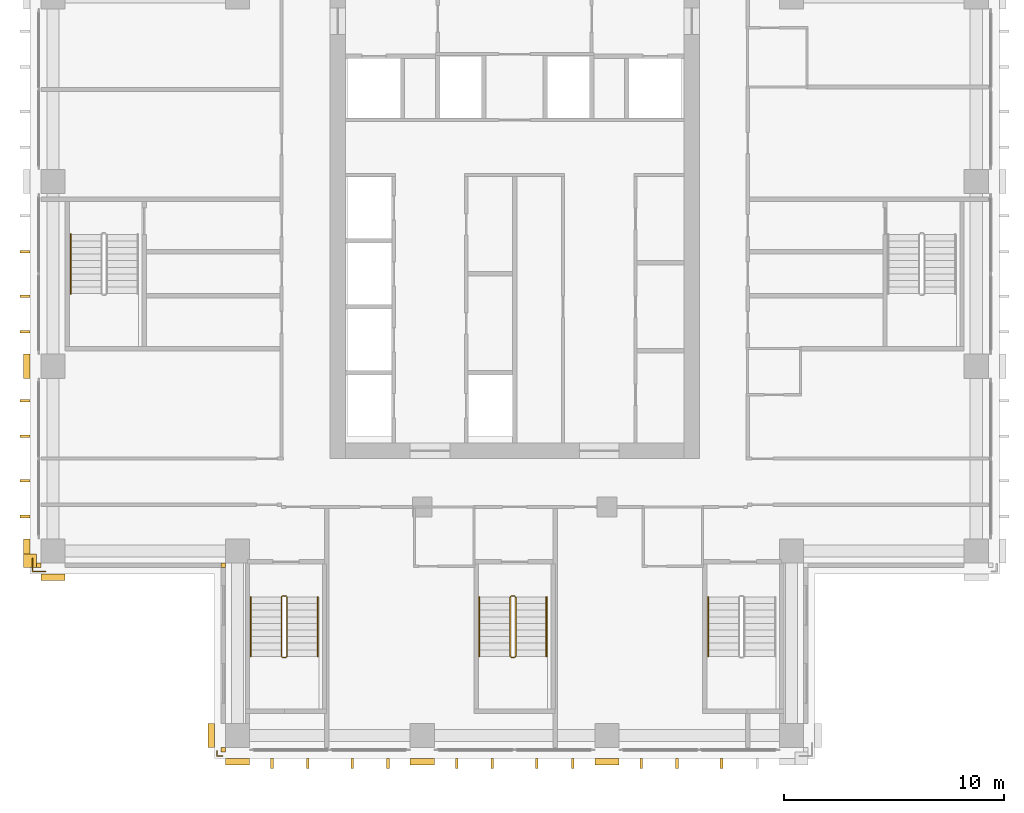
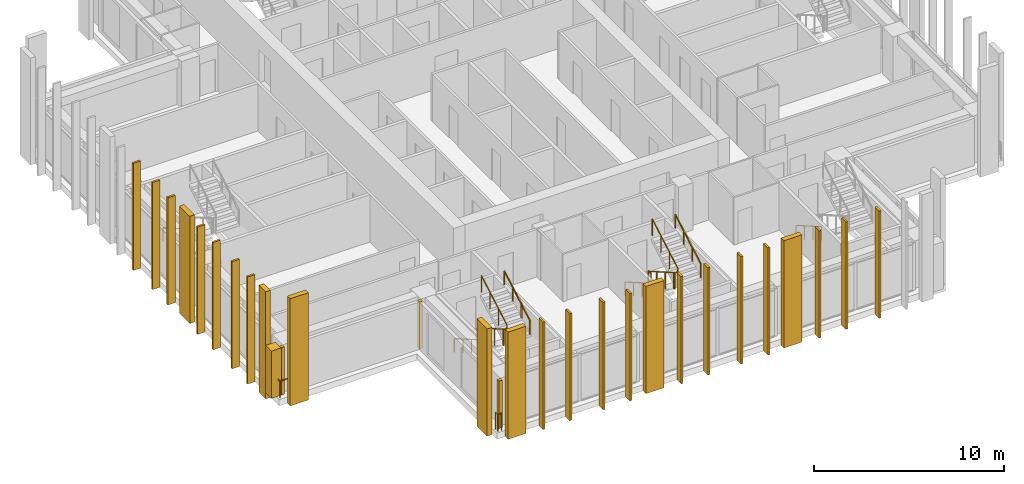
# One storey, part 14 of 16: 29 coverings, 10 railings.
"""IFC4 building model written with IfcOpenShell, lengths in metres."""

from ifc_helpers import new_model, si_unit, direction, frame, origin, origin_2d, place, context, subcontext, project, spatial, polyline, rectangle, outline, extrude, material, layer, layer_set, type_object, element, save


model = new_model("IFC4")

# Units and contexts
model_context = context("Model", 3, precision=1e-05, world=origin(), true_north=direction((0.0, 1.0)))
body_context = subcontext(model_context, "Body", "Model", "MODEL_VIEW")
ifc_project = project(units=[si_unit("LENGTHUNIT", "METRE"), si_unit("AREAUNIT", "SQUARE_METRE"), si_unit("VOLUMEUNIT", "CUBIC_METRE"), si_unit("PLANEANGLEUNIT", "RADIAN"), si_unit("MASSUNIT", "GRAM", prefix="KILO")], contexts=[model_context])

# Site, building, storey
site_placement = place(None, origin())
site = spatial("IfcSite", under=ifc_project, at=site_placement, CompositionType="ELEMENT")
building_placement = place(site_placement, origin())
building = spatial("IfcBuilding", under=site, at=building_placement, Name="Vermilion Ogive Tower", CompositionType="ELEMENT")
storey_placement = place(building_placement, frame((0.0, 0.0, 150.35009765625)))
storey = spatial("IfcBuildingStorey", under=building, at=storey_placement, Name="L38", CompositionType="ELEMENT", Elevation=150.35009765625)

# Coverings
ifc_material_1 = material(Name="Glazed ceramic screen")
ifc_layer = layer(ifc_material_1, 0.14990234375)
ifc_layer_set = layer_set([ifc_layer], Name="Ceramic solar screen fin")
covering_type_1 = type_object("IfcCoveringType", Name="Ceramic solar screen fin", PredefinedType="CLADDING", material=ifc_layer_set)
covering_1_placement = place(storey_placement, frame((0.0, 0.0, -0.400146484375)))
element("IfcCovering", 1, at=covering_1_placement, inside=storey, type_object=covering_type_1, Name="Solar screen blade S971", PredefinedType="CLADDING", context=body_context, shape_type="SweptSolid", body=[
    extrude(outline(polyline([(-11.097412109375, -22.5), (-10.9775390625, -22.5), (-10.9775390625, -22.050048828125), (-11.097412109375, -22.050048828125), (-11.097412109375, -22.5)])), origin(), (0.0, 0.0, 1.0), 6.900146484375),
])
covering_2_placement = place(storey_placement, frame((0.0, 0.0, -0.400146484375)))
element("IfcCovering", 2, at=covering_2_placement, inside=storey, type_object=covering_type_1, Name="Solar screen blade S972", PredefinedType="CLADDING", context=body_context, shape_type="SweptSolid", body=[
    extrude(outline(polyline([(-9.472412109375, -22.5), (-9.3525390625, -22.5), (-9.3525390625, -22.050048828125), (-9.472412109375, -22.050048828125), (-9.472412109375, -22.5)])), origin(), (0.0, 0.0, 1.0), 6.900146484375),
])
covering_3_placement = place(storey_placement, frame((0.0, 0.0, -0.400146484375)))
element("IfcCovering", 3, at=covering_3_placement, inside=storey, type_object=covering_type_1, Name="Solar screen blade S981", PredefinedType="CLADDING", context=body_context, shape_type="SweptSolid", body=[
    extrude(outline(polyline([(-7.447509765625, -22.5), (-7.327392578125, -22.5), (-7.327392578125, -22.050048828125), (-7.447509765625, -22.050048828125), (-7.447509765625, -22.5)])), origin(), (0.0, 0.0, 1.0), 6.900146484375),
])
covering_4_placement = place(storey_placement, frame((0.0, 0.0, -0.400146484375)))
element("IfcCovering", 4, at=covering_4_placement, inside=storey, type_object=covering_type_1, Name="Solar screen blade S982", PredefinedType="CLADDING", context=body_context, shape_type="SweptSolid", body=[
    extrude(outline(polyline([(-5.822509765625, -22.5), (-5.702392578125, -22.5), (-5.702392578125, -22.050048828125), (-5.822509765625, -22.050048828125), (-5.822509765625, -22.5)])), origin(), (0.0, 0.0, 1.0), 6.900146484375),
])
covering_5_placement = place(storey_placement, frame((0.0, 0.0, -0.400146484375)))
element("IfcCovering", 5, at=covering_5_placement, inside=storey, type_object=covering_type_1, Name="Solar screen blade S991", PredefinedType="CLADDING", context=body_context, shape_type="SweptSolid", body=[
    extrude(outline(polyline([(-2.697509765625, -22.5), (-2.577392578125, -22.5), (-2.577392578125, -22.050048828125), (-2.697509765625, -22.050048828125), (-2.697509765625, -22.5)])), origin(), (0.0, 0.0, 1.0), 6.900146484375),
])
covering_6_placement = place(storey_placement, frame((0.0, 0.0, -0.400146484375)))
element("IfcCovering", 6, at=covering_6_placement, inside=storey, type_object=covering_type_1, Name="Solar screen blade S992", PredefinedType="CLADDING", context=body_context, shape_type="SweptSolid", body=[
    extrude(outline(polyline([(-1.072509765625, -22.5), (-0.952392578125, -22.5), (-0.952392578125, -22.050048828125), (-1.072509765625, -22.050048828125), (-1.072509765625, -22.5)])), origin(), (0.0, 0.0, 1.0), 6.900146484375),
])
covering_7_placement = place(storey_placement, frame((0.0, 0.0, -0.400146484375)))
element("IfcCovering", 7, at=covering_7_placement, inside=storey, type_object=covering_type_1, Name="Solar screen blade S001", PredefinedType="CLADDING", context=body_context, shape_type="SweptSolid", body=[
    extrude(outline(polyline([(0.952392578125, -22.5), (1.072509765625, -22.5), (1.072509765625, -22.050048828125), (0.952392578125, -22.050048828125), (0.952392578125, -22.5)])), origin(), (0.0, 0.0, 1.0), 6.900146484375),
])
covering_8_placement = place(storey_placement, frame((0.0, 0.0, -0.400146484375)))
element("IfcCovering", 8, at=covering_8_placement, inside=storey, type_object=covering_type_1, Name="Solar screen blade S002", PredefinedType="CLADDING", context=body_context, shape_type="SweptSolid", body=[
    extrude(outline(polyline([(2.577392578125, -22.5), (2.697509765625, -22.5), (2.697509765625, -22.050048828125), (2.577392578125, -22.050048828125), (2.577392578125, -22.5)])), origin(), (0.0, 0.0, 1.0), 6.900146484375),
])
covering_9_placement = place(storey_placement, frame((0.0, 0.0, -0.400146484375)))
element("IfcCovering", 9, at=covering_9_placement, inside=storey, type_object=covering_type_1, Name="Solar screen blade S011", PredefinedType="CLADDING", context=body_context, shape_type="SweptSolid", body=[
    extrude(outline(polyline([(5.702392578125, -22.5), (5.822509765625, -22.5), (5.822509765625, -22.050048828125), (5.702392578125, -22.050048828125), (5.702392578125, -22.5)])), origin(), (0.0, 0.0, 1.0), 6.900146484375),
])
covering_10_placement = place(storey_placement, frame((0.0, 0.0, -0.400146484375)))
element("IfcCovering", 10, at=covering_10_placement, inside=storey, type_object=covering_type_1, Name="Solar screen blade S012", PredefinedType="CLADDING", context=body_context, shape_type="SweptSolid", body=[
    extrude(outline(polyline([(7.327392578125, -22.5), (7.447509765625, -22.5), (7.447509765625, -22.050048828125), (7.327392578125, -22.050048828125), (7.327392578125, -22.5)])), origin(), (0.0, 0.0, 1.0), 6.900146484375),
])
covering_11_placement = place(storey_placement, frame((0.0, 0.0, -0.400146484375)))
element("IfcCovering", 11, at=covering_11_placement, inside=storey, type_object=covering_type_1, Name="Solar screen blade S021", PredefinedType="CLADDING", context=body_context, shape_type="SweptSolid", body=[
    extrude(outline(polyline([(9.3525390625, -22.5), (9.472412109375, -22.5), (9.472412109375, -22.050048828125), (9.3525390625, -22.050048828125), (9.3525390625, -22.5)])), origin(), (0.0, 0.0, 1.0), 6.900146484375),
])
covering_12_placement = place(storey_placement, frame((0.0, 0.0, -0.400146484375)))
element("IfcCovering", 12, at=covering_12_placement, inside=storey, type_object=covering_type_1, Name="Solar screen blade W991", PredefinedType="CLADDING", context=body_context, shape_type="SweptSolid", body=[
    extrude(outline(polyline([(-22.5, -0.952392578125), (-22.5, -1.072509765625), (-22.050048828125, -1.072509765625), (-22.050048828125, -0.952392578125), (-22.5, -0.952392578125)])), origin(), (0.0, 0.0, 1.0), 6.900146484375),
])
covering_13_placement = place(storey_placement, frame((0.0, 0.0, -0.400146484375)))
element("IfcCovering", 13, at=covering_13_placement, inside=storey, type_object=covering_type_1, Name="Solar screen blade W992", PredefinedType="CLADDING", context=body_context, shape_type="SweptSolid", body=[
    extrude(outline(polyline([(-22.5, -2.577392578125), (-22.5, -2.697509765625), (-22.050048828125, -2.697509765625), (-22.050048828125, -2.577392578125), (-22.5, -2.577392578125)])), origin(), (0.0, 0.0, 1.0), 6.900146484375),
])
covering_14_placement = place(storey_placement, frame((0.0, 0.0, -0.400146484375)))
element("IfcCovering", 14, at=covering_14_placement, inside=storey, type_object=covering_type_1, Name="Solar screen blade W002", PredefinedType="CLADDING", context=body_context, shape_type="SweptSolid", body=[
    extrude(outline(polyline([(-22.5, 1.072509765625), (-22.5, 0.952392578125), (-22.050048828125, 0.952392578125), (-22.050048828125, 1.072509765625), (-22.5, 1.072509765625)])), origin(), (0.0, 0.0, 1.0), 6.900146484375),
])
covering_15_placement = place(storey_placement, frame((0.0, 0.0, -0.400146484375)))
element("IfcCovering", 15, at=covering_15_placement, inside=storey, type_object=covering_type_1, Name="Solar screen blade W971", PredefinedType="CLADDING", context=body_context, shape_type="SweptSolid", body=[
    extrude(outline(polyline([(-22.5, -9.3525390625), (-22.5, -9.472412109375), (-22.050048828125, -9.472412109375), (-22.050048828125, -9.3525390625), (-22.5, -9.3525390625)])), origin(), (0.0, 0.0, 1.0), 6.900146484375),
])
covering_16_placement = place(storey_placement, frame((0.0, 0.0, -0.400146484375)))
element("IfcCovering", 16, at=covering_16_placement, inside=storey, type_object=covering_type_1, Name="Solar screen blade W972", PredefinedType="CLADDING", context=body_context, shape_type="SweptSolid", body=[
    extrude(outline(polyline([(-22.5, -10.9775390625), (-22.5, -11.097412109375), (-22.050048828125, -11.097412109375), (-22.050048828125, -10.9775390625), (-22.5, -10.9775390625)])), origin(), (0.0, 0.0, 1.0), 6.900146484375),
])
covering_17_placement = place(storey_placement, frame((0.0, 0.0, -0.400146484375)))
element("IfcCovering", 17, at=covering_17_placement, inside=storey, type_object=covering_type_1, Name="Solar screen blade W981", PredefinedType="CLADDING", context=body_context, shape_type="SweptSolid", body=[
    extrude(outline(polyline([(-22.5, -5.702392578125), (-22.5, -5.822509765625), (-22.050048828125, -5.822509765625), (-22.050048828125, -5.702392578125), (-22.5, -5.702392578125)])), origin(), (0.0, 0.0, 1.0), 6.900146484375),
])
covering_18_placement = place(storey_placement, frame((0.0, 0.0, -0.400146484375)))
element("IfcCovering", 18, at=covering_18_placement, inside=storey, type_object=covering_type_1, Name="Solar screen blade W982", PredefinedType="CLADDING", context=body_context, shape_type="SweptSolid", body=[
    extrude(outline(polyline([(-22.5, -7.327392578125), (-22.5, -7.447509765625), (-22.050048828125, -7.447509765625), (-22.050048828125, -7.327392578125), (-22.5, -7.327392578125)])), origin(), (0.0, 0.0, 1.0), 6.900146484375),
])

# Railings
ifc_material_2 = material(Name="Stainless steel", Category="steel")
railing_type_1 = type_object("IfcRailingType", Name="Slab edge guard SG1", PredefinedType="GUARDRAIL", material=ifc_material_2)
railing_1_placement = place(storey_placement, frame((-13.300048828125, -21.929931640625, 0.0)))
element("IfcRailing", 19, at=railing_1_placement, inside=storey, type_object=railing_type_1, Name="L38 slab corner guard", PredefinedType="GUARDRAIL", context=body_context, shape_type="SweptSolid", body=[
    extrude(rectangle(XDim=0.050048828125, YDim=0.050048828125, at=origin_2d()), frame((0.0, 0.0, 1.0751953125), z_axis=(-1.0, 0.0, 0.0), x_axis=(0.0, -1.0, 0.0)), (0.0, 0.0, 1.0), 0.22998046875),
    extrude(rectangle(XDim=0.050048828125, YDim=0.050048828125, at=origin_2d()), frame((-0.22998046875, 0.0, 1.0751953125), z_axis=(0.0, 1.0, 0.0), x_axis=(-1.0, 0.0, 0.0)), (0.0, 0.0, 1.0), 0.22998046875),
    extrude(rectangle(XDim=0.050048828125, YDim=0.050048828125, at=origin_2d()), origin(), (0.0, 0.0, 1.0), 1.050048828125),
    extrude(rectangle(XDim=0.050048828125, YDim=0.050048828125, at=origin_2d()), frame((-0.22998046875, 0.0, 0.0)), (0.0, 0.0, 1.0), 1.050048828125),
    extrude(rectangle(XDim=0.050048828125, YDim=0.050048828125, at=origin_2d()), frame((-0.22998046875, 0.22998046875, 0.0)), (0.0, 0.0, 1.0), 1.050048828125),
])
railing_2_placement = place(storey_placement, frame((-21.929931640625, -12.949951171875, 0.0)))
element("IfcRailing", 20, at=railing_2_placement, inside=storey, type_object=railing_type_1, Name="L38 slab corner guard", PredefinedType="GUARDRAIL", context=body_context, shape_type="SweptSolid", body=[
    extrude(rectangle(XDim=0.050048828125, YDim=0.050048828125, at=origin_2d()), frame((0.0, 0.0, 1.0751953125), z_axis=(0.0, -1.0, 0.0), x_axis=(1.0, 0.0, 0.0)), (0.0, 0.0, 1.0), 0.580078125),
    extrude(rectangle(XDim=0.050048828125, YDim=0.050048828125, at=origin_2d()), frame((0.0, -0.580078125, 1.0751953125), z_axis=(1.0, 0.0, 0.0), x_axis=(0.0, 1.0, 0.0)), (0.0, 0.0, 1.0), 0.579833984375),
    extrude(rectangle(XDim=0.050048828125, YDim=0.050048828125, at=origin_2d()), origin(), (0.0, 0.0, 1.0), 1.050048828125),
    extrude(rectangle(XDim=0.050048828125, YDim=0.050048828125, at=origin_2d()), frame((0.0, -0.580078125, 0.0)), (0.0, 0.0, 1.0), 1.050048828125),
    extrude(rectangle(XDim=0.050048828125, YDim=0.050048828125, at=origin_2d()), frame((0.579833984375, -0.580078125, 0.0)), (0.0, 0.0, 1.0), 1.050048828125),
])
ifc_material_3 = material(Name="Steel S355 painted", Category="steel")
railing_type_2 = type_object("IfcRailingType", Name="Stair guard 1100", PredefinedType="GUARDRAIL", material=ifc_material_3)
railing_3_placement = place(storey_placement, frame((-10.39990234375, -14.64990234375, 0.0)))
element("IfcRailing", 21, at=railing_3_placement, inside=storey, type_object=railing_type_2, Name="L38 ST3 stair guard 4", PredefinedType="GUARDRAIL", context=body_context, shape_type="SweptSolid", body=[
    extrude(rectangle(XDim=0.048095703125, YDim=0.048095703125, at=origin_2d()), frame((0.0, 0.0, 1.076171875), z_axis=(-1.0, 0.0, 0.0), x_axis=(0.0, -1.0, 0.0)), (0.0, 0.0, 1.0), 0.150146484375),
    extrude(rectangle(XDim=0.048095703125, YDim=0.048095703125, at=origin_2d()), frame((-0.150146484375, 0.0, 1.076171875), z_axis=(-0.268603158521, -0.268603158521, 0.925043072762), x_axis=(0.707106781187, -0.707106781187, 0.0)), (0.0, 0.0, 1.0), 0.186279296875),
    extrude(rectangle(XDim=0.048095703125, YDim=0.048095703125, at=origin_2d()), frame((-0.2001953125, -0.050048828125, 1.24853515625), z_axis=(0.0, -0.866903762492, 0.498475542607), x_axis=(1.0, 0.0, 0.0)), (0.0, 0.0, 1.0), 3.114501953125),
    extrude(rectangle(XDim=0.048095703125, YDim=0.048095703125, at=origin_2d()), frame((-0.2001953125, -2.75, 2.80078125), z_axis=(0.707106781187, -0.707106781187, 0.0), x_axis=(0.707106781187, 0.707106781187, 0.0)), (0.0, 0.0, 1.0), 0.07080078125),
    extrude(rectangle(XDim=0.048095703125, YDim=0.048095703125, at=origin_2d()), frame((-0.150146484375, -2.800048828125, 2.80078125), z_axis=(1.0, 0.0, 0.0), x_axis=(0.0, 1.0, 0.0)), (0.0, 0.0, 1.0), 0.150146484375),
    extrude(rectangle(XDim=0.048095703125, YDim=0.048095703125, at=origin_2d()), frame((0.0, -2.800048828125, 2.80078125), z_axis=(0.267062837333, 0.268371968888, 0.925556009775), x_axis=(-0.708833529934, 0.705375805398, 0.0)), (0.0, 0.0, 1.0), 0.1865234375),
    extrude(rectangle(XDim=0.048095703125, YDim=0.048095703125, at=origin_2d()), frame((0.0498046875, -2.75, 2.9736328125), z_axis=(0.0, 0.866903762492, 0.498475542607), x_axis=(-1.0, 0.0, 0.0)), (0.0, 0.0, 1.0), 3.114501953125),
    extrude(rectangle(XDim=0.0419921875, YDim=0.0419921875, at=origin_2d()), origin(), (0.0, 0.0, 1.0), 1.052001953125),
    extrude(rectangle(XDim=0.0419921875, YDim=0.0419921875, at=origin_2d()), frame((-0.150146484375, 0.0, 0.0)), (0.0, 0.0, 1.0), 1.052001953125),
    extrude(rectangle(XDim=0.0419921875, YDim=0.0419921875, at=origin_2d()), frame((-0.2001953125, -0.050048828125, 0.17236328125)), (0.0, 0.0, 1.0), 1.052001953125),
    extrude(rectangle(XDim=0.0419921875, YDim=0.0419921875, at=origin_2d()), frame((-0.2001953125, -0.949951171875, 0.68994140625)), (0.0, 0.0, 1.0), 1.052001953125),
    extrude(rectangle(XDim=0.0419921875, YDim=0.0419921875, at=origin_2d()), frame((-0.2001953125, -1.85009765625, 1.207275390625)), (0.0, 0.0, 1.0), 1.052001953125),
    extrude(rectangle(XDim=0.0419921875, YDim=0.0419921875, at=origin_2d()), frame((-0.2001953125, -2.75, 1.724853515625)), (0.0, 0.0, 1.0), 1.052001953125),
    extrude(rectangle(XDim=0.0419921875, YDim=0.0419921875, at=origin_2d()), frame((-0.150146484375, -2.800048828125, 1.724853515625)), (0.0, 0.0, 1.0), 1.052001953125),
    extrude(rectangle(XDim=0.0419921875, YDim=0.0419921875, at=origin_2d()), frame((0.0, -2.800048828125, 1.724853515625)), (0.0, 0.0, 1.0), 1.052001953125),
    extrude(rectangle(XDim=0.0419921875, YDim=0.0419921875, at=origin_2d()), frame((0.0498046875, -2.75, 1.8974609375)), (0.0, 0.0, 1.0), 1.052001953125),
    extrude(rectangle(XDim=0.0419921875, YDim=0.0419921875, at=origin_2d()), frame((0.0498046875, -1.85009765625, 2.4150390625)), (0.0, 0.0, 1.0), 1.052001953125),
    extrude(rectangle(XDim=0.0419921875, YDim=0.0419921875, at=origin_2d()), frame((0.0498046875, -0.949951171875, 2.932373046875)), (0.0, 0.0, 1.0), 1.052001953125),
    extrude(rectangle(XDim=0.0419921875, YDim=0.0419921875, at=origin_2d()), frame((0.0498046875, -0.050048828125, 3.449951171875)), (0.0, 0.0, 1.0), 1.052001953125),
])
railing_4_placement = place(storey_placement, frame((0.0, -14.64990234375, 0.0)))
element("IfcRailing", 22, at=railing_4_placement, inside=storey, type_object=railing_type_2, Name="L38 ST4 stair guard 4", PredefinedType="GUARDRAIL", context=body_context, shape_type="SweptSolid", body=[
    extrude(rectangle(XDim=0.048095703125, YDim=0.048095703125, at=origin_2d()), frame((0.0, 0.0, 1.076171875), z_axis=(-1.0, 0.0, 0.0), x_axis=(0.0, -1.0, 0.0)), (0.0, 0.0, 1.0), 0.14990234375),
    extrude(rectangle(XDim=0.048095703125, YDim=0.048095703125, at=origin_2d()), frame((-0.14990234375, 0.0, 1.076171875), z_axis=(-0.268603158521, -0.268603158521, 0.925043072762), x_axis=(0.707106781187, -0.707106781187, 0.0)), (0.0, 0.0, 1.0), 0.186279296875),
    extrude(rectangle(XDim=0.048095703125, YDim=0.048095703125, at=origin_2d()), frame((-0.199951171875, -0.050048828125, 1.24853515625), z_axis=(0.0, -0.866903762492, 0.498475542607), x_axis=(1.0, 0.0, 0.0)), (0.0, 0.0, 1.0), 3.114501953125),
    extrude(rectangle(XDim=0.048095703125, YDim=0.048095703125, at=origin_2d()), frame((-0.199951171875, -2.75, 2.80078125), z_axis=(0.707106781187, -0.707106781187, 0.0), x_axis=(0.707106781187, 0.707106781187, 0.0)), (0.0, 0.0, 1.0), 0.07080078125),
    extrude(rectangle(XDim=0.048095703125, YDim=0.048095703125, at=origin_2d()), frame((-0.14990234375, -2.800048828125, 2.80078125), z_axis=(1.0, 0.0, 0.0), x_axis=(0.0, 1.0, 0.0)), (0.0, 0.0, 1.0), 0.14990234375),
    extrude(rectangle(XDim=0.048095703125, YDim=0.048095703125, at=origin_2d()), frame((0.0, -2.800048828125, 2.80078125), z_axis=(0.268277960024, 0.268277960024, 0.925231793839), x_axis=(-0.707106781187, 0.707106781187, 0.0)), (0.0, 0.0, 1.0), 0.1865234375),
    extrude(rectangle(XDim=0.048095703125, YDim=0.048095703125, at=origin_2d()), frame((0.050048828125, -2.75, 2.9736328125), z_axis=(0.0, 0.866903762492, 0.498475542607), x_axis=(-1.0, 0.0, 0.0)), (0.0, 0.0, 1.0), 3.114501953125),
    extrude(rectangle(XDim=0.0419921875, YDim=0.0419921875, at=origin_2d()), origin(), (0.0, 0.0, 1.0), 1.052001953125),
    extrude(rectangle(XDim=0.0419921875, YDim=0.0419921875, at=origin_2d()), frame((-0.14990234375, 0.0, 0.0)), (0.0, 0.0, 1.0), 1.052001953125),
    extrude(rectangle(XDim=0.0419921875, YDim=0.0419921875, at=origin_2d()), frame((-0.199951171875, -0.050048828125, 0.17236328125)), (0.0, 0.0, 1.0), 1.052001953125),
    extrude(rectangle(XDim=0.0419921875, YDim=0.0419921875, at=origin_2d()), frame((-0.199951171875, -0.949951171875, 0.68994140625)), (0.0, 0.0, 1.0), 1.052001953125),
    extrude(rectangle(XDim=0.0419921875, YDim=0.0419921875, at=origin_2d()), frame((-0.199951171875, -1.85009765625, 1.207275390625)), (0.0, 0.0, 1.0), 1.052001953125),
    extrude(rectangle(XDim=0.0419921875, YDim=0.0419921875, at=origin_2d()), frame((-0.199951171875, -2.75, 1.724853515625)), (0.0, 0.0, 1.0), 1.052001953125),
    extrude(rectangle(XDim=0.0419921875, YDim=0.0419921875, at=origin_2d()), frame((-0.14990234375, -2.800048828125, 1.724853515625)), (0.0, 0.0, 1.0), 1.052001953125),
    extrude(rectangle(XDim=0.0419921875, YDim=0.0419921875, at=origin_2d()), frame((0.0, -2.800048828125, 1.724853515625)), (0.0, 0.0, 1.0), 1.052001953125),
    extrude(rectangle(XDim=0.0419921875, YDim=0.0419921875, at=origin_2d()), frame((0.050048828125, -2.75, 1.8974609375)), (0.0, 0.0, 1.0), 1.052001953125),
    extrude(rectangle(XDim=0.0419921875, YDim=0.0419921875, at=origin_2d()), frame((0.050048828125, -1.85009765625, 2.4150390625)), (0.0, 0.0, 1.0), 1.052001953125),
    extrude(rectangle(XDim=0.0419921875, YDim=0.0419921875, at=origin_2d()), frame((0.050048828125, -0.949951171875, 2.932373046875)), (0.0, 0.0, 1.0), 1.052001953125),
    extrude(rectangle(XDim=0.0419921875, YDim=0.0419921875, at=origin_2d()), frame((0.050048828125, -0.050048828125, 3.449951171875)), (0.0, 0.0, 1.0), 1.052001953125),
])
ifc_material_4 = material(Name="Stainless steel", Category="steel")
railing_type_3 = type_object("IfcRailingType", Name="Stair handrail 900", PredefinedType="HANDRAIL", material=ifc_material_4)
railing_5_placement = place(storey_placement, frame((-12.0, -14.699951171875, 0.17236328125)))
element("IfcRailing", 23, at=railing_5_placement, inside=storey, type_object=railing_type_3, Name="L38 ST3 stair handrail 1", PredefinedType="HANDRAIL", context=body_context, shape_type="SweptSolid", body=[
    extrude(rectangle(XDim=0.048095703125, YDim=0.048095703125, at=origin_2d()), frame((0.0, 0.0, 0.8759765625), z_axis=(0.0, -0.866903762492, 0.498475542607), x_axis=(1.0, 0.0, 0.0)), (0.0, 0.0, 1.0), 3.114501953125),
    extrude(rectangle(XDim=0.0419921875, YDim=0.0419921875, at=origin_2d()), origin(), (0.0, 0.0, 1.0), 0.851806640625),
    extrude(rectangle(XDim=0.0419921875, YDim=0.0419921875, at=origin_2d()), frame((0.0, -0.89990234375, 0.517578125)), (0.0, 0.0, 1.0), 0.851806640625),
    extrude(rectangle(XDim=0.0419921875, YDim=0.0419921875, at=origin_2d()), frame((0.0, -1.800048828125, 1.034912109375)), (0.0, 0.0, 1.0), 0.851806640625),
    extrude(rectangle(XDim=0.0419921875, YDim=0.0419921875, at=origin_2d()), frame((0.0, -2.699951171875, 1.552490234375)), (0.0, 0.0, 1.0), 0.851806640625),
])
railing_6_placement = place(storey_placement, frame((-8.949951171875, -17.39990234375, 1.8974609375)))
element("IfcRailing", 24, at=railing_6_placement, inside=storey, type_object=railing_type_3, Name="L38 ST3 stair handrail 2", PredefinedType="HANDRAIL", context=body_context, shape_type="SweptSolid", body=[
    extrude(rectangle(XDim=0.048095703125, YDim=0.048095703125, at=origin_2d()), frame((0.0, 0.0, 0.8759765625), z_axis=(0.0, 0.866903762492, 0.498475542607), x_axis=(-1.0, 0.0, 0.0)), (0.0, 0.0, 1.0), 3.114501953125),
    extrude(rectangle(XDim=0.0419921875, YDim=0.0419921875, at=origin_2d()), origin(), (0.0, 0.0, 1.0), 0.851806640625),
    extrude(rectangle(XDim=0.0419921875, YDim=0.0419921875, at=origin_2d()), frame((0.0, 0.89990234375, 0.517578125)), (0.0, 0.0, 1.0), 0.851806640625),
    extrude(rectangle(XDim=0.0419921875, YDim=0.0419921875, at=origin_2d()), frame((0.0, 1.800048828125, 1.034912109375)), (0.0, 0.0, 1.0), 0.851806640625),
    extrude(rectangle(XDim=0.0419921875, YDim=0.0419921875, at=origin_2d()), frame((0.0, 2.699951171875, 1.552490234375)), (0.0, 0.0, 1.0), 0.851806640625),
])
railing_7_placement = place(storey_placement, frame((-1.60009765625, -14.699951171875, 0.17236328125)))
element("IfcRailing", 25, at=railing_7_placement, inside=storey, type_object=railing_type_3, Name="L38 ST4 stair handrail 1", PredefinedType="HANDRAIL", context=body_context, shape_type="SweptSolid", body=[
    extrude(rectangle(XDim=0.048095703125, YDim=0.048095703125, at=origin_2d()), frame((0.0, 0.0, 0.8759765625), z_axis=(0.0, -0.866903762492, 0.498475542607), x_axis=(1.0, 0.0, 0.0)), (0.0, 0.0, 1.0), 3.114501953125),
    extrude(rectangle(XDim=0.0419921875, YDim=0.0419921875, at=origin_2d()), origin(), (0.0, 0.0, 1.0), 0.851806640625),
    extrude(rectangle(XDim=0.0419921875, YDim=0.0419921875, at=origin_2d()), frame((0.0, -0.89990234375, 0.517578125)), (0.0, 0.0, 1.0), 0.851806640625),
    extrude(rectangle(XDim=0.0419921875, YDim=0.0419921875, at=origin_2d()), frame((0.0, -1.800048828125, 1.034912109375)), (0.0, 0.0, 1.0), 0.851806640625),
    extrude(rectangle(XDim=0.0419921875, YDim=0.0419921875, at=origin_2d()), frame((0.0, -2.699951171875, 1.552490234375)), (0.0, 0.0, 1.0), 0.851806640625),
])
railing_8_placement = place(storey_placement, frame((1.449951171875, -17.39990234375, 1.8974609375)))
element("IfcRailing", 26, at=railing_8_placement, inside=storey, type_object=railing_type_3, Name="L38 ST4 stair handrail 2", PredefinedType="HANDRAIL", context=body_context, shape_type="SweptSolid", body=[
    extrude(rectangle(XDim=0.048095703125, YDim=0.048095703125, at=origin_2d()), frame((0.0, 0.0, 0.8759765625), z_axis=(0.0, 0.866903762492, 0.498475542607), x_axis=(-1.0, 0.0, 0.0)), (0.0, 0.0, 1.0), 3.114501953125),
    extrude(rectangle(XDim=0.0419921875, YDim=0.0419921875, at=origin_2d()), origin(), (0.0, 0.0, 1.0), 0.851806640625),
    extrude(rectangle(XDim=0.0419921875, YDim=0.0419921875, at=origin_2d()), frame((0.0, 0.89990234375, 0.517578125)), (0.0, 0.0, 1.0), 0.851806640625),
    extrude(rectangle(XDim=0.0419921875, YDim=0.0419921875, at=origin_2d()), frame((0.0, 1.800048828125, 1.034912109375)), (0.0, 0.0, 1.0), 0.851806640625),
    extrude(rectangle(XDim=0.0419921875, YDim=0.0419921875, at=origin_2d()), frame((0.0, 2.699951171875, 1.552490234375)), (0.0, 0.0, 1.0), 0.851806640625),
])
for number, where, name in (
    (27, (8.800048828125, -14.699951171875, 0.17236328125), "L38 ST5 stair handrail 1"),
    (28, (-20.199951171875, 1.800048828125, 0.17236328125), "L38 ST9 stair handrail 1"),
):
    element("IfcRailing", number, at=place(storey_placement, frame(where)), inside=storey, type_object=railing_type_3, Name=name, PredefinedType="HANDRAIL", context=body_context, shape_type="SweptSolid", body=[
        extrude(rectangle(XDim=0.048095703125, YDim=0.048095703125, at=origin_2d()), frame((0.0, 0.0, 0.8759765625), z_axis=(0.0, -0.866903762492, 0.498475542607), x_axis=(1.0, 0.0, 0.0)), (0.0, 0.0, 1.0), 3.114501953125),
        extrude(rectangle(XDim=0.0419921875, YDim=0.0419921875, at=origin_2d()), origin(), (0.0, 0.0, 1.0), 0.851806640625),
        extrude(rectangle(XDim=0.0419921875, YDim=0.0419921875, at=origin_2d()), frame((0.0, -0.89990234375, 0.517578125)), (0.0, 0.0, 1.0), 0.851806640625),
        extrude(rectangle(XDim=0.0419921875, YDim=0.0419921875, at=origin_2d()), frame((0.0, -1.800048828125, 1.034912109375)), (0.0, 0.0, 1.0), 0.851806640625),
        extrude(rectangle(XDim=0.0419921875, YDim=0.0419921875, at=origin_2d()), frame((0.0, -2.699951171875, 1.552490234375)), (0.0, 0.0, 1.0), 0.851806640625),
    ])

# Coverings
ifc_material_5 = material(Name="Stone cladding", Category="masonry")
covering_type_2 = type_object("IfcCoveringType", Name="Stone corner buttress", PredefinedType="CLADDING", material=ifc_material_5)
covering_19_placement = place(storey_placement, origin())
element("IfcCovering", 29, at=covering_19_placement, inside=storey, type_object=covering_type_2, Name="Stone crease pier WK", PredefinedType="CLADDING", context=body_context, shape_type="SweptSolid", body=[
    extrude(outline(polyline([(-22.35009765625, -12.75), (-22.35009765625, -13.35009765625), (-21.75, -13.35009765625), (-21.75, -12.75), (-22.35009765625, -12.75)])), origin(), (0.0, 0.0, 1.0), 3.0498046875),
])
ifc_material_6 = material(Name="Stone cladding", Category="masonry")
covering_type_3 = type_object("IfcCoveringType", Name="Stone pier", PredefinedType="CLADDING", material=ifc_material_6)
covering_20_placement = place(storey_placement, origin())
element("IfcCovering", 30, at=covering_20_placement, inside=storey, type_object=covering_type_3, Name="Stone corner pier WE1", PredefinedType="CLADDING", context=body_context, shape_type="SweptSolid", body=[
    extrude(outline(polyline([(-21.75, -13.14990234375), (-21.550048828125, -13.14990234375), (-21.550048828125, -13.35009765625), (-21.75, -13.35009765625), (-21.75, -13.14990234375)])), origin(), (0.0, 0.0, 1.0), 3.0498046875),
])
covering_21_placement = place(storey_placement, origin())
element("IfcCovering", 31, at=covering_21_placement, inside=storey, type_object=covering_type_3, Name="Stone corner pier X7E1", PredefinedType="CLADDING", context=body_context, shape_type="SweptSolid", body=[
    extrude(outline(polyline([(-13.14990234375, -13.14990234375), (-13.14990234375, -13.35009765625), (-13.35009765625, -13.35009765625), (-13.35009765625, -13.14990234375), (-13.14990234375, -13.14990234375)])), origin(), (0.0, 0.0, 1.0), 3.0498046875),
])
covering_22_placement = place(storey_placement, origin())
element("IfcCovering", 32, at=covering_22_placement, inside=storey, type_object=covering_type_3, Name="Stone corner pier X8E1", PredefinedType="CLADDING", context=body_context, shape_type="SweptSolid", body=[
    extrude(outline(polyline([(-13.35009765625, -21.550048828125), (-13.14990234375, -21.550048828125), (-13.14990234375, -21.75), (-13.35009765625, -21.75), (-13.35009765625, -21.550048828125)])), origin(), (0.0, 0.0, 1.0), 3.0498046875),
])
covering_23_placement = place(storey_placement, frame((0.0, 0.0, -0.400146484375)))
element("IfcCovering", 33, at=covering_23_placement, inside=storey, type_object=covering_type_3, Name="Stone pier P+0042-210", PredefinedType="CLADDING", context=body_context, shape_type="SweptSolid", body=[
    extrude(outline(polyline([(4.75, -22.35009765625), (3.64990234375, -22.35009765625), (3.64990234375, -22.050048828125), (4.75, -22.050048828125), (4.75, -22.35009765625)])), origin(), (0.0, 0.0, 1.0), 6.900146484375),
])
covering_24_placement = place(storey_placement, frame((0.0, 0.0, -0.400146484375)))
element("IfcCovering", 34, at=covering_24_placement, inside=storey, type_object=covering_type_3, Name="Stone pier P-0042-210", PredefinedType="CLADDING", context=body_context, shape_type="SweptSolid", body=[
    extrude(outline(polyline([(-3.64990234375, -22.35009765625), (-4.75, -22.35009765625), (-4.75, -22.050048828125), (-3.64990234375, -22.050048828125), (-3.64990234375, -22.35009765625)])), origin(), (0.0, 0.0, 1.0), 6.900146484375),
])
covering_25_placement = place(storey_placement, frame((0.0, 0.0, -0.400146484375)))
element("IfcCovering", 35, at=covering_25_placement, inside=storey, type_object=covering_type_3, Name="Stone pier P-0126-210S", PredefinedType="CLADDING", context=body_context, shape_type="SweptSolid", body=[
    extrude(outline(polyline([(-12.050048828125, -22.35009765625), (-13.14990234375, -22.35009765625), (-13.14990234375, -22.050048828125), (-12.050048828125, -22.050048828125), (-12.050048828125, -22.35009765625)])), origin(), (0.0, 0.0, 1.0), 6.900146484375),
])
covering_26_placement = place(storey_placement, frame((0.0, 0.0, -0.400146484375)))
element("IfcCovering", 36, at=covering_26_placement, inside=storey, type_object=covering_type_3, Name="Stone pier P-0126-210X8", PredefinedType="CLADDING", context=body_context, shape_type="SweptSolid", body=[
    extrude(outline(polyline([(-13.949951171875, -20.449951171875), (-13.64990234375, -20.449951171875), (-13.64990234375, -21.550048828125), (-13.949951171875, -21.550048828125), (-13.949951171875, -20.449951171875)])), origin(), (0.0, 0.0, 1.0), 6.900146484375),
])
covering_27_placement = place(storey_placement, frame((0.0, 0.0, -0.400146484375)))
element("IfcCovering", 37, at=covering_27_placement, inside=storey, type_object=covering_type_3, Name="Stone pier P-0210-042", PredefinedType="CLADDING", context=body_context, shape_type="SweptSolid", body=[
    extrude(outline(polyline([(-22.35009765625, -4.75), (-22.35009765625, -3.64990234375), (-22.050048828125, -3.64990234375), (-22.050048828125, -4.75), (-22.35009765625, -4.75)])), origin(), (0.0, 0.0, 1.0), 6.900146484375),
])
covering_28_placement = place(storey_placement, frame((0.0, 0.0, -0.400146484375)))
element("IfcCovering", 38, at=covering_28_placement, inside=storey, type_object=covering_type_3, Name="Stone pier P-0210-126W", PredefinedType="CLADDING", context=body_context, shape_type="SweptSolid", body=[
    extrude(outline(polyline([(-22.35009765625, -12.050048828125), (-22.050048828125, -12.050048828125), (-22.050048828125, -12.75), (-22.35009765625, -12.75), (-22.35009765625, -12.050048828125)])), origin(), (0.0, 0.0, 1.0), 6.900146484375),
])
covering_29_placement = place(storey_placement, frame((0.0, 0.0, -0.400146484375)))
element("IfcCovering", 39, at=covering_29_placement, inside=storey, type_object=covering_type_3, Name="Stone pier P-0210-126X7", PredefinedType="CLADDING", context=body_context, shape_type="SweptSolid", body=[
    extrude(outline(polyline([(-21.550048828125, -13.949951171875), (-21.550048828125, -13.64990234375), (-20.449951171875, -13.64990234375), (-20.449951171875, -13.949951171875), (-21.550048828125, -13.949951171875)])), origin(), (0.0, 0.0, 1.0), 6.900146484375),
])

save(model, "model.ifc")
